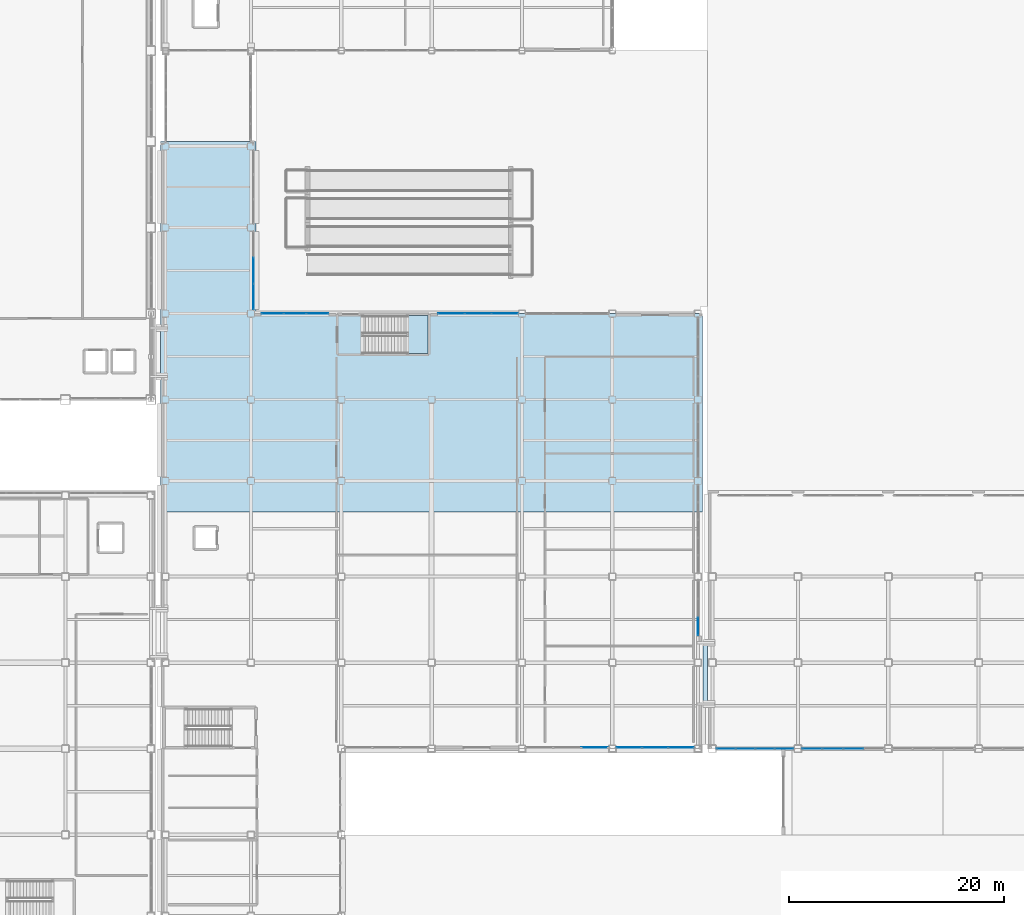
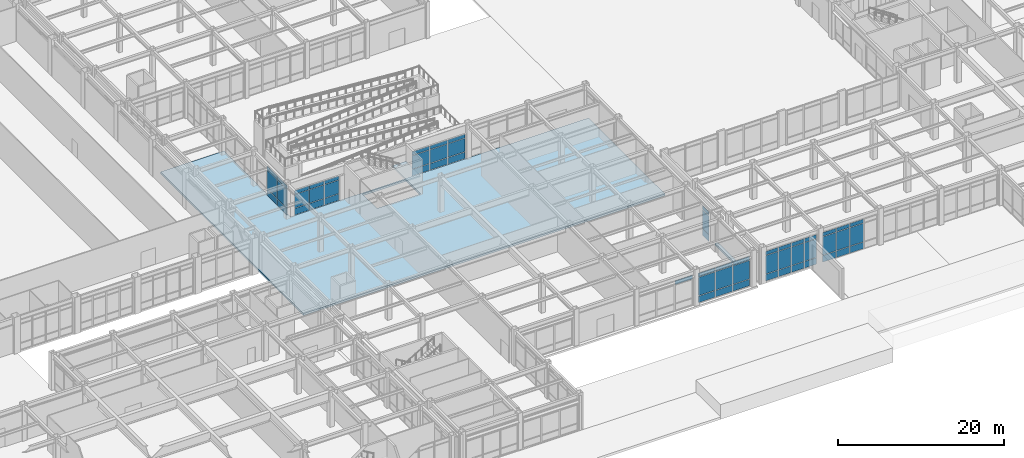
# One storey, part 113 of 165: 58 plates, 3 slabs, 9 elements without a shape of their own.
"""IFC4 building model written with IfcOpenShell, lengths in metres."""

from ifc_helpers import new_model, si_unit, direction, frame, origin, origin_2d, place, context, subcontext, project, spatial, polyline, rectangle, outline, extrude, material, layer, layer_set, type_object, element, aggregate, save


model = new_model("IFC4")

# Units and contexts
model_context = context("Model", 3, precision=1e-05, world=origin(), true_north=direction((0.0, 1.0)))
body_context = subcontext(model_context, "Body", "Model", "MODEL_VIEW")
ifc_project = project(units=[si_unit("LENGTHUNIT", "METRE"), si_unit("AREAUNIT", "SQUARE_METRE"), si_unit("VOLUMEUNIT", "CUBIC_METRE"), si_unit("PLANEANGLEUNIT", "RADIAN"), si_unit("MASSUNIT", "GRAM", prefix="KILO")], contexts=[model_context])

# Site, building, storey
site_placement = place(None, origin())
site = spatial("IfcSite", under=ifc_project, at=site_placement, CompositionType="ELEMENT")
building_placement = place(site_placement, origin())
building = spatial("IfcBuilding", under=site, at=building_placement, Name="Kazehara Bluff Congress Hotel", CompositionType="ELEMENT")
storey_placement = place(building_placement, origin())
storey = spatial("IfcBuildingStorey", under=building, at=storey_placement, Name="L00", CompositionType="ELEMENT", Elevation=0.0)

# Curtain wall, plates
ifc_material_1 = material(Name="Anodised aluminium", Category="aluminium")
ifc_layer_1 = layer(ifc_material_1, 0.159912109375)
ifc_layer_set_1 = layer_set([ifc_layer_1], Name="Anodised aluminium")
curtain_wall_type_1 = type_object("IfcCurtainWallType", Name="TP-CW-67", PredefinedType="NOTDEFINED", material=ifc_layer_set_1)
curtain_wall_1_placement = place(storey_placement, origin())
curtain_wall_1 = element("IfcCurtainWall", 1, at=curtain_wall_1_placement, inside=storey, type_object=curtain_wall_type_1, Name="L00 curtain wall CW-67 CW-V4-L00-Y5645-6860", PredefinedType="NOTDEFINED")
ifc_material_2 = material(Name="Insulated low-E double glazing", Category="glass")
ifc_layer_2 = layer(ifc_material_2, 0.028076171875)
ifc_layer_set_2 = layer_set([ifc_layer_2], Name="Insulated low-E double glazing")
plate_type_1 = type_object("IfcPlateType", Name="TP-CWP-01", PredefinedType="CURTAIN_PANEL", material=ifc_layer_set_2)
plate_1_placement = place(storey_placement, frame((69.6650390625, 56.449951171875, 0.06005859375), z_axis=(0.0, 0.0, 1.0), x_axis=(1.0, 0.0, 0.0)))
plate_1 = element("IfcPlate", 2, at=plate_1_placement, type_object=plate_type_1, Name="CW-67 panel 1.1", PredefinedType="CURTAIN_PANEL", context=body_context, shape_type="SweptSolid", body=[
    extrude(rectangle(XDim=2.010009765625, YDim=0.028076171875, at=origin_2d()), origin(), (0.0, 0.0, 1.0), 0.9599609375),
])
plate_2_placement = place(storey_placement, frame((69.6650390625, 56.449951171875, 1.080078125), z_axis=(0.0, 0.0, 1.0), x_axis=(1.0, 0.0, 0.0)))
plate_2 = element("IfcPlate", 3, at=plate_2_placement, type_object=plate_type_1, Name="CW-67 panel 1.2", PredefinedType="CURTAIN_PANEL", context=body_context, shape_type="SweptSolid", body=[
    extrude(rectangle(XDim=2.010009765625, YDim=0.028076171875, at=origin_2d()), origin(), (0.0, 0.0, 1.0), 1.965087890625),
])
plate_3_placement = place(storey_placement, frame((69.6650390625, 56.449951171875, 3.10498046875), z_axis=(0.0, 0.0, 1.0), x_axis=(1.0, 0.0, 0.0)))
plate_3 = element("IfcPlate", 4, at=plate_3_placement, type_object=plate_type_1, Name="CW-67 panel 1.3", PredefinedType="CURTAIN_PANEL", context=body_context, shape_type="SweptSolid", body=[
    extrude(rectangle(XDim=2.010009765625, YDim=0.028076171875, at=origin_2d()), origin(), (0.0, 0.0, 1.0), 0.56005859375),
])
plate_4_placement = place(storey_placement, frame((71.75, 56.449951171875, 0.06005859375), z_axis=(0.0, 0.0, 1.0), x_axis=(1.0, 0.0, 0.0)))
plate_4 = element("IfcPlate", 5, at=plate_4_placement, type_object=plate_type_1, Name="CW-67 panel 2.1", PredefinedType="CURTAIN_PANEL", context=body_context, shape_type="SweptSolid", body=[
    extrude(rectangle(XDim=2.0400390625, YDim=0.028076171875, at=origin_2d()), origin(), (0.0, 0.0, 1.0), 0.9599609375),
])
plate_5_placement = place(storey_placement, frame((71.75, 56.449951171875, 1.080078125), z_axis=(0.0, 0.0, 1.0), x_axis=(1.0, 0.0, 0.0)))
plate_5 = element("IfcPlate", 6, at=plate_5_placement, type_object=plate_type_1, Name="CW-67 panel 2.2", PredefinedType="CURTAIN_PANEL", context=body_context, shape_type="SweptSolid", body=[
    extrude(rectangle(XDim=2.0400390625, YDim=0.028076171875, at=origin_2d()), origin(), (0.0, 0.0, 1.0), 1.965087890625),
])
plate_6_placement = place(storey_placement, frame((71.75, 56.449951171875, 3.10498046875), z_axis=(0.0, 0.0, 1.0), x_axis=(1.0, 0.0, 0.0)))
plate_6 = element("IfcPlate", 7, at=plate_6_placement, type_object=plate_type_1, Name="CW-67 panel 2.3", PredefinedType="CURTAIN_PANEL", context=body_context, shape_type="SweptSolid", body=[
    extrude(rectangle(XDim=2.0400390625, YDim=0.028076171875, at=origin_2d()), origin(), (0.0, 0.0, 1.0), 0.56005859375),
])
plate_7_placement = place(storey_placement, frame((73.8349609375, 56.449951171875, 0.06005859375), z_axis=(0.0, 0.0, 1.0), x_axis=(1.0, 0.0, 0.0)))
plate_7 = element("IfcPlate", 8, at=plate_7_placement, type_object=plate_type_1, Name="CW-67 panel 3.1", PredefinedType="CURTAIN_PANEL", context=body_context, shape_type="SweptSolid", body=[
    extrude(rectangle(XDim=2.010009765625, YDim=0.028076171875, at=origin_2d()), origin(), (0.0, 0.0, 1.0), 0.9599609375),
])
plate_8_placement = place(storey_placement, frame((73.8349609375, 56.449951171875, 1.080078125), z_axis=(0.0, 0.0, 1.0), x_axis=(1.0, 0.0, 0.0)))
plate_8 = element("IfcPlate", 9, at=plate_8_placement, type_object=plate_type_1, Name="CW-67 panel 3.2", PredefinedType="CURTAIN_PANEL", context=body_context, shape_type="SweptSolid", body=[
    extrude(rectangle(XDim=2.010009765625, YDim=0.028076171875, at=origin_2d()), origin(), (0.0, 0.0, 1.0), 1.965087890625),
])
plate_9_placement = place(storey_placement, frame((73.8349609375, 56.449951171875, 3.10498046875), z_axis=(0.0, 0.0, 1.0), x_axis=(1.0, 0.0, 0.0)))
plate_9 = element("IfcPlate", 10, at=plate_9_placement, type_object=plate_type_1, Name="CW-67 panel 3.3", PredefinedType="CURTAIN_PANEL", context=body_context, shape_type="SweptSolid", body=[
    extrude(rectangle(XDim=2.010009765625, YDim=0.028076171875, at=origin_2d()), origin(), (0.0, 0.0, 1.0), 0.56005859375),
])
aggregate(curtain_wall_1, [plate_1, plate_2, plate_3, plate_4, plate_5, plate_6, plate_7, plate_8, plate_9])

ifc_material_3 = material(Name="Anodised aluminium", Category="aluminium")
ifc_layer_3 = layer(ifc_material_3, 0.159912109375)
ifc_layer_set_3 = layer_set([ifc_layer_3], Name="Anodised aluminium")
curtain_wall_type_2 = type_object("IfcCurtainWallType", Name="TP-CW-68", PredefinedType="NOTDEFINED", material=ifc_layer_set_3)
curtain_wall_2_placement = place(storey_placement, origin())
curtain_wall_2 = element("IfcCurtainWall", 11, at=curtain_wall_2_placement, inside=storey, type_object=curtain_wall_type_2, Name="L00 curtain wall CW-68 CW-V4-L00-Y5645-8500", PredefinedType="NOTDEFINED")
plate_10_placement = place(storey_placement, frame((86.2705078125, 56.449951171875, 0.06494140625), z_axis=(0.0, 0.0, 1.0), x_axis=(1.0, 0.0, 0.0)))
plate_10 = element("IfcPlate", 12, at=plate_10_placement, type_object=plate_type_1, Name="CW-68 panel 1.1", PredefinedType="CURTAIN_PANEL", context=body_context, shape_type="SweptSolid", body=[
    extrude(rectangle(XDim=2.410888671875, YDim=0.028076171875, at=origin_2d()), origin(), (0.0, 0.0, 1.0), 0.952392578125),
])
plate_11_placement = place(storey_placement, frame((86.2705078125, 56.449951171875, 1.08251953125), z_axis=(0.0, 0.0, 1.0), x_axis=(1.0, 0.0, 0.0)))
plate_11 = element("IfcPlate", 13, at=plate_11_placement, type_object=plate_type_1, Name="CW-68 panel 1.2", PredefinedType="CURTAIN_PANEL", context=body_context, shape_type="SweptSolid", body=[
    extrude(rectangle(XDim=2.410888671875, YDim=0.028076171875, at=origin_2d()), origin(), (0.0, 0.0, 1.0), 1.9599609375),
])
plate_12_placement = place(storey_placement, frame((86.2705078125, 56.449951171875, 3.107421875), z_axis=(0.0, 0.0, 1.0), x_axis=(1.0, 0.0, 0.0)))
plate_12 = element("IfcPlate", 14, at=plate_12_placement, type_object=plate_type_1, Name="CW-68 panel 1.3", PredefinedType="CURTAIN_PANEL", context=body_context, shape_type="SweptSolid", body=[
    extrude(rectangle(XDim=2.410888671875, YDim=0.028076171875, at=origin_2d()), origin(), (0.0, 0.0, 1.0), 0.552490234375),
])
plate_13_placement = place(storey_placement, frame((88.762451171875, 56.449951171875, 0.06494140625), z_axis=(0.0, 0.0, 1.0), x_axis=(1.0, 0.0, 0.0)))
plate_13 = element("IfcPlate", 15, at=plate_13_placement, type_object=plate_type_1, Name="CW-68 panel 2.1", PredefinedType="CURTAIN_PANEL", context=body_context, shape_type="SweptSolid", body=[
    extrude(rectangle(XDim=2.443359375, YDim=0.028076171875, at=origin_2d()), origin(), (0.0, 0.0, 1.0), 0.952392578125),
])
plate_14_placement = place(storey_placement, frame((88.762451171875, 56.449951171875, 1.08251953125), z_axis=(0.0, 0.0, 1.0), x_axis=(1.0, 0.0, 0.0)))
plate_14 = element("IfcPlate", 16, at=plate_14_placement, type_object=plate_type_1, Name="CW-68 panel 2.2", PredefinedType="CURTAIN_PANEL", context=body_context, shape_type="SweptSolid", body=[
    extrude(rectangle(XDim=2.443359375, YDim=0.028076171875, at=origin_2d()), origin(), (0.0, 0.0, 1.0), 1.9599609375),
])
plate_15_placement = place(storey_placement, frame((88.762451171875, 56.449951171875, 3.107421875), z_axis=(0.0, 0.0, 1.0), x_axis=(1.0, 0.0, 0.0)))
plate_15 = element("IfcPlate", 17, at=plate_15_placement, type_object=plate_type_1, Name="CW-68 panel 2.3", PredefinedType="CURTAIN_PANEL", context=body_context, shape_type="SweptSolid", body=[
    extrude(rectangle(XDim=2.443359375, YDim=0.028076171875, at=origin_2d()), origin(), (0.0, 0.0, 1.0), 0.552490234375),
])
plate_16_placement = place(storey_placement, frame((91.254638671875, 56.449951171875, 0.06494140625), z_axis=(0.0, 0.0, 1.0), x_axis=(1.0, 0.0, 0.0)))
plate_16 = element("IfcPlate", 18, at=plate_16_placement, type_object=plate_type_1, Name="CW-68 panel 3.1", PredefinedType="CURTAIN_PANEL", context=body_context, shape_type="SweptSolid", body=[
    extrude(rectangle(XDim=2.410888671875, YDim=0.028076171875, at=origin_2d()), origin(), (0.0, 0.0, 1.0), 0.952392578125),
])
plate_17_placement = place(storey_placement, frame((91.254638671875, 56.449951171875, 1.08251953125), z_axis=(0.0, 0.0, 1.0), x_axis=(1.0, 0.0, 0.0)))
plate_17 = element("IfcPlate", 19, at=plate_17_placement, type_object=plate_type_1, Name="CW-68 panel 3.2", PredefinedType="CURTAIN_PANEL", context=body_context, shape_type="SweptSolid", body=[
    extrude(rectangle(XDim=2.410888671875, YDim=0.028076171875, at=origin_2d()), origin(), (0.0, 0.0, 1.0), 1.9599609375),
])
plate_18_placement = place(storey_placement, frame((91.254638671875, 56.449951171875, 3.107421875), z_axis=(0.0, 0.0, 1.0), x_axis=(1.0, 0.0, 0.0)))
plate_18 = element("IfcPlate", 20, at=plate_18_placement, type_object=plate_type_1, Name="CW-68 panel 3.3", PredefinedType="CURTAIN_PANEL", context=body_context, shape_type="SweptSolid", body=[
    extrude(rectangle(XDim=2.410888671875, YDim=0.028076171875, at=origin_2d()), origin(), (0.0, 0.0, 1.0), 0.552490234375),
])
aggregate(curtain_wall_2, [plate_10, plate_11, plate_12, plate_13, plate_14, plate_15, plate_16, plate_17, plate_18])

ifc_material_4 = material(Name="Anodised aluminium", Category="aluminium")
ifc_layer_4 = layer(ifc_material_4, 0.159912109375)
ifc_layer_set_4 = layer_set([ifc_layer_4], Name="Anodised aluminium")
curtain_wall_type_3 = type_object("IfcCurtainWallType", Name="TP-CW-49", PredefinedType="NOTDEFINED", material=ifc_layer_set_4)
curtain_wall_3_placement = place(storey_placement, origin())
curtain_wall_3 = element("IfcCurtainWall", 21, at=curtain_wall_3_placement, inside=storey, type_object=curtain_wall_type_3, Name="L00 curtain wall CW-49 CW-V4-L00-X10920-2650", PredefinedType="NOTDEFINED")
ifc_material_5 = material(Name="Insulated low-E double glazing", Category="glass")
ifc_layer_5 = layer(ifc_material_5, 0.031982421875)
ifc_layer_set_5 = layer_set([ifc_layer_5], Name="Insulated low-E double glazing")
plate_type_2 = type_object("IfcPlateType", Name="TP-CWP-02", PredefinedType="CURTAIN_PANEL", material=ifc_layer_set_5)
plate_19_placement = place(storey_placement, frame((109.199951171875, 27.3798828125, 0.06005859375), z_axis=(0.0, 0.0, 1.0), x_axis=(0.0, 1.0, 0.0)))
plate_19 = element("IfcPlate", 22, at=plate_19_placement, type_object=plate_type_2, Name="CW-49 panel 1.1", PredefinedType="CURTAIN_PANEL", context=body_context, shape_type="SweptSolid", body=[
    extrude(rectangle(XDim=1.6201171875, YDim=0.031982421875, at=origin_2d()), origin(), (0.0, 0.0, 1.0), 0.9599609375),
])
plate_20_placement = place(storey_placement, frame((109.199951171875, 27.3798828125, 1.080078125), z_axis=(0.0, 0.0, 1.0), x_axis=(0.0, 1.0, 0.0)))
plate_20 = element("IfcPlate", 23, at=plate_20_placement, type_object=plate_type_2, Name="CW-49 panel 1.2", PredefinedType="CURTAIN_PANEL", context=body_context, shape_type="SweptSolid", body=[
    extrude(rectangle(XDim=1.6201171875, YDim=0.031982421875, at=origin_2d()), origin(), (0.0, 0.0, 1.0), 2.715087890625),
])
plate_21_placement = place(storey_placement, frame((109.199951171875, 27.3798828125, 3.85498046875), z_axis=(0.0, 0.0, 1.0), x_axis=(0.0, 1.0, 0.0)))
plate_21 = element("IfcPlate", 24, at=plate_21_placement, type_object=plate_type_2, Name="CW-49 panel 1.3", PredefinedType="CURTAIN_PANEL", context=body_context, shape_type="SweptSolid", body=[
    extrude(rectangle(XDim=1.6201171875, YDim=0.031982421875, at=origin_2d()), origin(), (0.0, 0.0, 1.0), 0.56005859375),
])
aggregate(curtain_wall_3, [plate_19, plate_20, plate_21])

ifc_material_6 = material(Name="Anodised aluminium", Category="aluminium")
ifc_layer_6 = layer(ifc_material_6, 0.159912109375)
ifc_layer_set_6 = layer_set([ifc_layer_6], Name="Anodised aluminium")
curtain_wall_type_4 = type_object("IfcCurtainWallType", Name="TP-CW-77", PredefinedType="NOTDEFINED", material=ifc_layer_set_6)
curtain_wall_4_placement = place(storey_placement, origin())
curtain_wall_4 = element("IfcCurtainWall", 25, at=curtain_wall_4_placement, inside=storey, type_object=curtain_wall_type_4, Name="L00 curtain wall CW-77 CW-V5-L00-Y1600-11090", PredefinedType="NOTDEFINED")
plate_22_placement = place(storey_placement, frame((111.82373046875, 16.0, 0.06494140625), z_axis=(0.0, 0.0, 1.0), x_axis=(1.0, 0.0, 0.0)))
plate_22 = element("IfcPlate", 26, at=plate_22_placement, type_object=plate_type_2, Name="CW-77 panel 1.1", PredefinedType="CURTAIN_PANEL", context=body_context, shape_type="SweptSolid", body=[
    extrude(rectangle(XDim=1.70751953125, YDim=0.031982421875, at=origin_2d()), origin(), (0.0, 0.0, 1.0), 0.952392578125),
])
plate_23_placement = place(storey_placement, frame((111.82373046875, 16.0, 1.08251953125), z_axis=(0.0, 0.0, 1.0), x_axis=(1.0, 0.0, 0.0)))
plate_23 = element("IfcPlate", 27, at=plate_23_placement, type_object=plate_type_2, Name="CW-77 panel 1.2", PredefinedType="CURTAIN_PANEL", context=body_context, shape_type="SweptSolid", body=[
    extrude(rectangle(XDim=1.70751953125, YDim=0.031982421875, at=origin_2d()), origin(), (0.0, 0.0, 1.0), 2.7099609375),
])
plate_24_placement = place(storey_placement, frame((111.82373046875, 16.0, 3.857421875), z_axis=(0.0, 0.0, 1.0), x_axis=(1.0, 0.0, 0.0)))
plate_24 = element("IfcPlate", 28, at=plate_24_placement, type_object=plate_type_2, Name="CW-77 panel 1.3", PredefinedType="CURTAIN_PANEL", context=body_context, shape_type="SweptSolid", body=[
    extrude(rectangle(XDim=1.70751953125, YDim=0.031982421875, at=origin_2d()), origin(), (0.0, 0.0, 1.0), 0.552490234375),
])
plate_25_placement = place(storey_placement, frame((113.61865234375, 16.0, 0.06494140625), z_axis=(0.0, 0.0, 1.0), x_axis=(1.0, 0.0, 0.0)))
plate_25 = element("IfcPlate", 29, at=plate_25_placement, type_object=plate_type_2, Name="CW-77 panel 2.1", PredefinedType="CURTAIN_PANEL", context=body_context, shape_type="SweptSolid", body=[
    extrude(rectangle(XDim=1.742431640625, YDim=0.031982421875, at=origin_2d()), origin(), (0.0, 0.0, 1.0), 0.952392578125),
])
plate_26_placement = place(storey_placement, frame((113.61865234375, 16.0, 1.08251953125), z_axis=(0.0, 0.0, 1.0), x_axis=(1.0, 0.0, 0.0)))
plate_26 = element("IfcPlate", 30, at=plate_26_placement, type_object=plate_type_2, Name="CW-77 panel 2.2", PredefinedType="CURTAIN_PANEL", context=body_context, shape_type="SweptSolid", body=[
    extrude(rectangle(XDim=1.742431640625, YDim=0.031982421875, at=origin_2d()), origin(), (0.0, 0.0, 1.0), 2.7099609375),
])
plate_27_placement = place(storey_placement, frame((113.61865234375, 16.0, 3.857421875), z_axis=(0.0, 0.0, 1.0), x_axis=(1.0, 0.0, 0.0)))
plate_27 = element("IfcPlate", 31, at=plate_27_placement, type_object=plate_type_2, Name="CW-77 panel 2.3", PredefinedType="CURTAIN_PANEL", context=body_context, shape_type="SweptSolid", body=[
    extrude(rectangle(XDim=1.742431640625, YDim=0.031982421875, at=origin_2d()), origin(), (0.0, 0.0, 1.0), 0.552490234375),
])
plate_28_placement = place(storey_placement, frame((115.43115234375, 16.0, 0.06494140625), z_axis=(0.0, 0.0, 1.0), x_axis=(1.0, 0.0, 0.0)))
plate_28 = element("IfcPlate", 32, at=plate_28_placement, type_object=plate_type_2, Name="CW-77 panel 3.1", PredefinedType="CURTAIN_PANEL", context=body_context, shape_type="SweptSolid", body=[
    extrude(rectangle(XDim=1.742431640625, YDim=0.031982421875, at=origin_2d()), origin(), (0.0, 0.0, 1.0), 0.952392578125),
])
plate_29_placement = place(storey_placement, frame((115.43115234375, 16.0, 1.08251953125), z_axis=(0.0, 0.0, 1.0), x_axis=(1.0, 0.0, 0.0)))
plate_29 = element("IfcPlate", 33, at=plate_29_placement, type_object=plate_type_2, Name="CW-77 panel 3.2", PredefinedType="CURTAIN_PANEL", context=body_context, shape_type="SweptSolid", body=[
    extrude(rectangle(XDim=1.742431640625, YDim=0.031982421875, at=origin_2d()), origin(), (0.0, 0.0, 1.0), 2.7099609375),
])
plate_30_placement = place(storey_placement, frame((115.43115234375, 16.0, 3.857421875), z_axis=(0.0, 0.0, 1.0), x_axis=(1.0, 0.0, 0.0)))
plate_30 = element("IfcPlate", 34, at=plate_30_placement, type_object=plate_type_2, Name="CW-77 panel 3.3", PredefinedType="CURTAIN_PANEL", context=body_context, shape_type="SweptSolid", body=[
    extrude(rectangle(XDim=1.742431640625, YDim=0.031982421875, at=origin_2d()), origin(), (0.0, 0.0, 1.0), 0.552490234375),
])
plate_31_placement = place(storey_placement, frame((117.226318359375, 16.0, 0.06494140625), z_axis=(0.0, 0.0, 1.0), x_axis=(1.0, 0.0, 0.0)))
plate_31 = element("IfcPlate", 35, at=plate_31_placement, type_object=plate_type_2, Name="CW-77 panel 4.1", PredefinedType="CURTAIN_PANEL", context=body_context, shape_type="SweptSolid", body=[
    extrude(rectangle(XDim=1.70751953125, YDim=0.031982421875, at=origin_2d()), origin(), (0.0, 0.0, 1.0), 0.952392578125),
])
plate_32_placement = place(storey_placement, frame((117.226318359375, 16.0, 1.08251953125), z_axis=(0.0, 0.0, 1.0), x_axis=(1.0, 0.0, 0.0)))
plate_32 = element("IfcPlate", 36, at=plate_32_placement, type_object=plate_type_2, Name="CW-77 panel 4.2", PredefinedType="CURTAIN_PANEL", context=body_context, shape_type="SweptSolid", body=[
    extrude(rectangle(XDim=1.70751953125, YDim=0.031982421875, at=origin_2d()), origin(), (0.0, 0.0, 1.0), 2.7099609375),
])
plate_33_placement = place(storey_placement, frame((117.226318359375, 16.0, 3.857421875), z_axis=(0.0, 0.0, 1.0), x_axis=(1.0, 0.0, 0.0)))
plate_33 = element("IfcPlate", 37, at=plate_33_placement, type_object=plate_type_2, Name="CW-77 panel 4.3", PredefinedType="CURTAIN_PANEL", context=body_context, shape_type="SweptSolid", body=[
    extrude(rectangle(XDim=1.70751953125, YDim=0.031982421875, at=origin_2d()), origin(), (0.0, 0.0, 1.0), 0.552490234375),
])
aggregate(curtain_wall_4, [plate_22, plate_23, plate_24, plate_25, plate_26, plate_27, plate_28, plate_29, plate_30, plate_31, plate_32, plate_33])

ifc_material_7 = material(Name="Anodised aluminium", Category="aluminium")
ifc_layer_7 = layer(ifc_material_7, 0.159912109375)
ifc_layer_set_7 = layer_set([ifc_layer_7], Name="Anodised aluminium")
curtain_wall_type_5 = type_object("IfcCurtainWallType", Name="TP-CW-26", PredefinedType="NOTDEFINED", material=ifc_layer_set_7)
curtain_wall_5_placement = place(storey_placement, origin())
curtain_wall_5 = element("IfcCurtainWall", 38, at=curtain_wall_5_placement, inside=storey, type_object=curtain_wall_type_5, Name="L00 curtain wall CW-26 CW-V5-L00-Y1600-11885", PredefinedType="NOTDEFINED")
plate_34_placement = place(storey_placement, frame((119.830078125, 16.0, 0.06494140625), z_axis=(0.0, 0.0, 1.0), x_axis=(1.0, 0.0, 0.0)))
plate_34 = element("IfcPlate", 39, at=plate_34_placement, type_object=plate_type_2, Name="CW-26 panel 1.1", PredefinedType="CURTAIN_PANEL", context=body_context, shape_type="SweptSolid", body=[
    extrude(rectangle(XDim=1.820068359375, YDim=0.031982421875, at=origin_2d()), origin(), (0.0, 0.0, 1.0), 0.952392578125),
])
plate_35_placement = place(storey_placement, frame((119.830078125, 16.0, 1.08251953125), z_axis=(0.0, 0.0, 1.0), x_axis=(1.0, 0.0, 0.0)))
plate_35 = element("IfcPlate", 40, at=plate_35_placement, type_object=plate_type_2, Name="CW-26 panel 1.2", PredefinedType="CURTAIN_PANEL", context=body_context, shape_type="SweptSolid", body=[
    extrude(rectangle(XDim=1.820068359375, YDim=0.031982421875, at=origin_2d()), origin(), (0.0, 0.0, 1.0), 2.7099609375),
])
plate_36_placement = place(storey_placement, frame((119.830078125, 16.0, 3.857421875), z_axis=(0.0, 0.0, 1.0), x_axis=(1.0, 0.0, 0.0)))
plate_36 = element("IfcPlate", 41, at=plate_36_placement, type_object=plate_type_2, Name="CW-26 panel 1.3", PredefinedType="CURTAIN_PANEL", context=body_context, shape_type="SweptSolid", body=[
    extrude(rectangle(XDim=1.820068359375, YDim=0.031982421875, at=origin_2d()), origin(), (0.0, 0.0, 1.0), 0.552490234375),
])
plate_37_placement = place(storey_placement, frame((121.737548828125, 16.0, 0.06494140625), z_axis=(0.0, 0.0, 1.0), x_axis=(1.0, 0.0, 0.0)))
plate_37 = element("IfcPlate", 42, at=plate_37_placement, type_object=plate_type_2, Name="CW-26 panel 2.1", PredefinedType="CURTAIN_PANEL", context=body_context, shape_type="SweptSolid", body=[
    extrude(rectangle(XDim=1.85498046875, YDim=0.031982421875, at=origin_2d()), origin(), (0.0, 0.0, 1.0), 0.952392578125),
])
plate_38_placement = place(storey_placement, frame((121.737548828125, 16.0, 1.08251953125), z_axis=(0.0, 0.0, 1.0), x_axis=(1.0, 0.0, 0.0)))
plate_38 = element("IfcPlate", 43, at=plate_38_placement, type_object=plate_type_2, Name="CW-26 panel 2.2", PredefinedType="CURTAIN_PANEL", context=body_context, shape_type="SweptSolid", body=[
    extrude(rectangle(XDim=1.85498046875, YDim=0.031982421875, at=origin_2d()), origin(), (0.0, 0.0, 1.0), 2.7099609375),
])
plate_39_placement = place(storey_placement, frame((121.737548828125, 16.0, 3.857421875), z_axis=(0.0, 0.0, 1.0), x_axis=(1.0, 0.0, 0.0)))
plate_39 = element("IfcPlate", 44, at=plate_39_placement, type_object=plate_type_2, Name="CW-26 panel 2.3", PredefinedType="CURTAIN_PANEL", context=body_context, shape_type="SweptSolid", body=[
    extrude(rectangle(XDim=1.85498046875, YDim=0.031982421875, at=origin_2d()), origin(), (0.0, 0.0, 1.0), 0.552490234375),
])
plate_40_placement = place(storey_placement, frame((123.66259765625, 16.0, 0.06494140625), z_axis=(0.0, 0.0, 1.0), x_axis=(1.0, 0.0, 0.0)))
plate_40 = element("IfcPlate", 45, at=plate_40_placement, type_object=plate_type_2, Name="CW-26 panel 3.1", PredefinedType="CURTAIN_PANEL", context=body_context, shape_type="SweptSolid", body=[
    extrude(rectangle(XDim=1.85498046875, YDim=0.031982421875, at=origin_2d()), origin(), (0.0, 0.0, 1.0), 0.952392578125),
])
plate_41_placement = place(storey_placement, frame((123.66259765625, 16.0, 1.08251953125), z_axis=(0.0, 0.0, 1.0), x_axis=(1.0, 0.0, 0.0)))
plate_41 = element("IfcPlate", 46, at=plate_41_placement, type_object=plate_type_2, Name="CW-26 panel 3.2", PredefinedType="CURTAIN_PANEL", context=body_context, shape_type="SweptSolid", body=[
    extrude(rectangle(XDim=1.85498046875, YDim=0.031982421875, at=origin_2d()), origin(), (0.0, 0.0, 1.0), 2.7099609375),
])
plate_42_placement = place(storey_placement, frame((123.66259765625, 16.0, 3.857421875), z_axis=(0.0, 0.0, 1.0), x_axis=(1.0, 0.0, 0.0)))
plate_42 = element("IfcPlate", 47, at=plate_42_placement, type_object=plate_type_2, Name="CW-26 panel 3.3", PredefinedType="CURTAIN_PANEL", context=body_context, shape_type="SweptSolid", body=[
    extrude(rectangle(XDim=1.85498046875, YDim=0.031982421875, at=origin_2d()), origin(), (0.0, 0.0, 1.0), 0.552490234375),
])
aggregate(curtain_wall_5, [plate_34, plate_35, plate_36, plate_37, plate_38, plate_39, plate_40, plate_41, plate_42])

# Curtain wall, plate
ifc_material_8 = material(Name="Anodised aluminium", Category="aluminium")
ifc_layer_8 = layer(ifc_material_8, 0.159912109375)
ifc_layer_set_8 = layer_set([ifc_layer_8], Name="Anodised aluminium")
curtain_wall_type_6 = type_object("IfcCurtainWallType", Name="TP-CW-69", PredefinedType="NOTDEFINED", material=ifc_layer_set_8)
curtain_wall_6_placement = place(storey_placement, origin())
curtain_wall_6 = element("IfcCurtainWall", 48, at=curtain_wall_6_placement, inside=storey, type_object=curtain_wall_type_6, Name="L00 curtain wall CW-69 CW-ENC-V4-L00-9705-1610", PredefinedType="NOTDEFINED")
plate_43_placement = place(storey_placement, frame((99.61572265625, 16.10009765625, 3.857421875), z_axis=(0.0, 0.0, 1.0), x_axis=(-1.0, 0.0, 0.0)))
plate_43 = element("IfcPlate", 49, at=plate_43_placement, type_object=plate_type_2, Name="CW-69 panel 1.3", PredefinedType="CURTAIN_PANEL", context=body_context, shape_type="SweptSolid", body=[
    extrude(rectangle(XDim=2.478271484375, YDim=0.031982421875, at=origin_2d()), origin(), (0.0, 0.0, 1.0), 0.552490234375),
])
aggregate(curtain_wall_6, [plate_43])

# Curtain wall, plates
ifc_material_9 = material(Name="Anodised aluminium", Category="aluminium")
ifc_layer_9 = layer(ifc_material_9, 0.159912109375)
ifc_layer_set_9 = layer_set([ifc_layer_9], Name="Anodised aluminium")
curtain_wall_type_7 = type_object("IfcCurtainWallType", Name="TP-CW-32", PredefinedType="NOTDEFINED", material=ifc_layer_set_9)
curtain_wall_7_placement = place(storey_placement, origin())
curtain_wall_7 = element("IfcCurtainWall", 50, at=curtain_wall_7_placement, inside=storey, type_object=curtain_wall_type_7, Name="L00 curtain wall CW-32 CW-ENC-V4-L00-10522-1610", PredefinedType="NOTDEFINED")
plate_44_placement = place(storey_placement, frame((107.640869140625, 16.10009765625, 0.06494140625), z_axis=(0.0, 0.0, 1.0), x_axis=(-1.0, 0.0, 0.0)))
plate_44 = element("IfcPlate", 51, at=plate_44_placement, type_object=plate_type_2, Name="CW-32 panel 1.1", PredefinedType="CURTAIN_PANEL", context=body_context, shape_type="SweptSolid", body=[
    extrude(rectangle(XDim=2.328369140625, YDim=0.031982421875, at=origin_2d()), origin(), (0.0, 0.0, 1.0), 0.952392578125),
])
plate_45_placement = place(storey_placement, frame((107.640869140625, 16.10009765625, 1.08251953125), z_axis=(0.0, 0.0, 1.0), x_axis=(-1.0, 0.0, 0.0)))
plate_45 = element("IfcPlate", 52, at=plate_45_placement, type_object=plate_type_2, Name="CW-32 panel 1.2", PredefinedType="CURTAIN_PANEL", context=body_context, shape_type="SweptSolid", body=[
    extrude(rectangle(XDim=2.328369140625, YDim=0.031982421875, at=origin_2d()), origin(), (0.0, 0.0, 1.0), 2.7099609375),
])
plate_46_placement = place(storey_placement, frame((107.640869140625, 16.10009765625, 3.857421875), z_axis=(0.0, 0.0, 1.0), x_axis=(-1.0, 0.0, 0.0)))
plate_46 = element("IfcPlate", 53, at=plate_46_placement, type_object=plate_type_2, Name="CW-32 panel 1.3", PredefinedType="CURTAIN_PANEL", context=body_context, shape_type="SweptSolid", body=[
    extrude(rectangle(XDim=2.328369140625, YDim=0.031982421875, at=origin_2d()), origin(), (0.0, 0.0, 1.0), 0.552490234375),
])
plate_47_placement = place(storey_placement, frame((105.22509765625, 16.10009765625, 0.06494140625), z_axis=(0.0, 0.0, 1.0), x_axis=(-1.0, 0.0, 0.0)))
plate_47 = element("IfcPlate", 54, at=plate_47_placement, type_object=plate_type_2, Name="CW-32 panel 2.1", PredefinedType="CURTAIN_PANEL", context=body_context, shape_type="SweptSolid", body=[
    extrude(rectangle(XDim=2.36328125, YDim=0.031982421875, at=origin_2d()), origin(), (0.0, 0.0, 1.0), 0.952392578125),
])
plate_48_placement = place(storey_placement, frame((105.22509765625, 16.10009765625, 1.08251953125), z_axis=(0.0, 0.0, 1.0), x_axis=(-1.0, 0.0, 0.0)))
plate_48 = element("IfcPlate", 55, at=plate_48_placement, type_object=plate_type_2, Name="CW-32 panel 2.2", PredefinedType="CURTAIN_PANEL", context=body_context, shape_type="SweptSolid", body=[
    extrude(rectangle(XDim=2.36328125, YDim=0.031982421875, at=origin_2d()), origin(), (0.0, 0.0, 1.0), 2.7099609375),
])
plate_49_placement = place(storey_placement, frame((105.22509765625, 16.10009765625, 3.857421875), z_axis=(0.0, 0.0, 1.0), x_axis=(-1.0, 0.0, 0.0)))
plate_49 = element("IfcPlate", 56, at=plate_49_placement, type_object=plate_type_2, Name="CW-32 panel 2.3", PredefinedType="CURTAIN_PANEL", context=body_context, shape_type="SweptSolid", body=[
    extrude(rectangle(XDim=2.36328125, YDim=0.031982421875, at=origin_2d()), origin(), (0.0, 0.0, 1.0), 0.552490234375),
])
plate_50_placement = place(storey_placement, frame((102.80908203125, 16.10009765625, 0.06494140625), z_axis=(0.0, 0.0, 1.0), x_axis=(-1.0, 0.0, 0.0)))
plate_50 = element("IfcPlate", 57, at=plate_50_placement, type_object=plate_type_2, Name="CW-32 panel 3.1", PredefinedType="CURTAIN_PANEL", context=body_context, shape_type="SweptSolid", body=[
    extrude(rectangle(XDim=2.328369140625, YDim=0.031982421875, at=origin_2d()), origin(), (0.0, 0.0, 1.0), 0.952392578125),
])
plate_51_placement = place(storey_placement, frame((102.80908203125, 16.10009765625, 1.08251953125), z_axis=(0.0, 0.0, 1.0), x_axis=(-1.0, 0.0, 0.0)))
plate_51 = element("IfcPlate", 58, at=plate_51_placement, type_object=plate_type_2, Name="CW-32 panel 3.2", PredefinedType="CURTAIN_PANEL", context=body_context, shape_type="SweptSolid", body=[
    extrude(rectangle(XDim=2.328369140625, YDim=0.031982421875, at=origin_2d()), origin(), (0.0, 0.0, 1.0), 2.7099609375),
])
plate_52_placement = place(storey_placement, frame((102.80908203125, 16.10009765625, 3.857421875), z_axis=(0.0, 0.0, 1.0), x_axis=(-1.0, 0.0, 0.0)))
plate_52 = element("IfcPlate", 59, at=plate_52_placement, type_object=plate_type_2, Name="CW-32 panel 3.3", PredefinedType="CURTAIN_PANEL", context=body_context, shape_type="SweptSolid", body=[
    extrude(rectangle(XDim=2.328369140625, YDim=0.031982421875, at=origin_2d()), origin(), (0.0, 0.0, 1.0), 0.552490234375),
])
aggregate(curtain_wall_7, [plate_44, plate_45, plate_46, plate_47, plate_48, plate_49, plate_50, plate_51, plate_52])

ifc_material_10 = material(Name="Anodised aluminium", Category="aluminium")
ifc_layer_10 = layer(ifc_material_10, 0.159912109375)
ifc_layer_set_10 = layer_set([ifc_layer_10], Name="Anodised aluminium")
curtain_wall_type_8 = type_object("IfcCurtainWallType", Name="TP-CW-52", PredefinedType="NOTDEFINED", material=ifc_layer_set_10)
curtain_wall_8_placement = place(storey_placement, origin())
curtain_wall_8 = element("IfcCurtainWall", 60, at=curtain_wall_8_placement, inside=storey, type_object=curtain_wall_type_8, Name="L00 curtain wall CW-52 CW-ENC-V4-L00-6788-6045", PredefinedType="NOTDEFINED")
plate_53_placement = place(storey_placement, frame((67.8798828125, 60.449951171875, 0.06494140625), z_axis=(0.0, 0.0, 1.0), x_axis=(0.0, -1.0, 0.0)))
plate_53 = element("IfcPlate", 61, at=plate_53_placement, type_object=plate_type_2, Name="CW-52 panel 2.1", PredefinedType="CURTAIN_PANEL", context=body_context, shape_type="SweptSolid", body=[
    extrude(rectangle(XDim=2.3798828125, YDim=0.031982421875, at=origin_2d()), origin(), (0.0, 0.0, 1.0), 0.952392578125),
])
plate_54_placement = place(storey_placement, frame((67.8798828125, 60.449951171875, 1.08251953125), z_axis=(0.0, 0.0, 1.0), x_axis=(0.0, -1.0, 0.0)))
plate_54 = element("IfcPlate", 62, at=plate_54_placement, type_object=plate_type_2, Name="CW-52 panel 2.2", PredefinedType="CURTAIN_PANEL", context=body_context, shape_type="SweptSolid", body=[
    extrude(rectangle(XDim=2.3798828125, YDim=0.031982421875, at=origin_2d()), origin(), (0.0, 0.0, 1.0), 2.7099609375),
])
plate_55_placement = place(storey_placement, frame((67.8798828125, 60.449951171875, 3.857421875), z_axis=(0.0, 0.0, 1.0), x_axis=(0.0, -1.0, 0.0)))
plate_55 = element("IfcPlate", 63, at=plate_55_placement, type_object=plate_type_2, Name="CW-52 panel 2.3", PredefinedType="CURTAIN_PANEL", context=body_context, shape_type="SweptSolid", body=[
    extrude(rectangle(XDim=2.3798828125, YDim=0.031982421875, at=origin_2d()), origin(), (0.0, 0.0, 1.0), 0.552490234375),
])
plate_56_placement = place(storey_placement, frame((67.8798828125, 58.017578125, 0.06494140625), z_axis=(0.0, 0.0, 1.0), x_axis=(0.0, -1.0, 0.0)))
plate_56 = element("IfcPlate", 64, at=plate_56_placement, type_object=plate_type_2, Name="CW-52 panel 3.1", PredefinedType="CURTAIN_PANEL", context=body_context, shape_type="SweptSolid", body=[
    extrude(rectangle(XDim=2.344970703125, YDim=0.031982421875, at=origin_2d()), origin(), (0.0, 0.0, 1.0), 0.952392578125),
])
plate_57_placement = place(storey_placement, frame((67.8798828125, 58.017578125, 1.08251953125), z_axis=(0.0, 0.0, 1.0), x_axis=(0.0, -1.0, 0.0)))
plate_57 = element("IfcPlate", 65, at=plate_57_placement, type_object=plate_type_2, Name="CW-52 panel 3.2", PredefinedType="CURTAIN_PANEL", context=body_context, shape_type="SweptSolid", body=[
    extrude(rectangle(XDim=2.344970703125, YDim=0.031982421875, at=origin_2d()), origin(), (0.0, 0.0, 1.0), 2.7099609375),
])
plate_58_placement = place(storey_placement, frame((67.8798828125, 58.017578125, 3.857421875), z_axis=(0.0, 0.0, 1.0), x_axis=(0.0, -1.0, 0.0)))
plate_58 = element("IfcPlate", 66, at=plate_58_placement, type_object=plate_type_2, Name="CW-52 panel 3.3", PredefinedType="CURTAIN_PANEL", context=body_context, shape_type="SweptSolid", body=[
    extrude(rectangle(XDim=2.344970703125, YDim=0.031982421875, at=origin_2d()), origin(), (0.0, 0.0, 1.0), 0.552490234375),
])
aggregate(curtain_wall_8, [plate_53, plate_54, plate_55, plate_56, plate_57, plate_58])

# Slabs
ifc_material_11 = material(Name="Concrete C36/45", Category="concrete")
ifc_layer_11 = layer(ifc_material_11, 0.280029296875)
ifc_layer_set_11 = layer_set([ifc_layer_11], Name="Concrete C36/45")
slab_type_1 = type_object("IfcSlabType", Name="TP-SL-280", PredefinedType="FLOOR", material=ifc_layer_set_11)
slab_1_placement = place(storey_placement, frame((0.0, 0.0, -0.280029296875)))
element("IfcSlab", 67, at=slab_1_placement, inside=storey, type_object=slab_type_1, Name="L00 V4 composite floor slab N", PredefinedType="FLOOR", context=body_context, shape_type="SweptSolid", body=[
    extrude(outline(polyline([(59.25, 72.449951171875), (68.10009765625, 72.449951171875), (68.10009765625, 56.449951171875), (109.64990234375, 56.449951171875), (109.64990234375, 38.0), (59.25, 38.0), (59.25, 72.449951171875)]), holes=[polyline([(78.02490234375, 52.75), (84.10009765625, 52.75), (84.10009765625, 56.25), (78.02490234375, 56.25), (78.02490234375, 52.75)])]), origin(), (0.0, 0.0, 1.0), 0.280029296875),
])
slab_2_placement = place(storey_placement, frame((0.0, 0.0, -0.280029296875)))
element("IfcSlab", 68, at=slab_2_placement, inside=storey, type_object=slab_type_1, Name="Seismic-joint bridge deck BRG-45 L00", PredefinedType="FLOOR", context=body_context, shape_type="SweptSolid", body=[
    extrude(outline(polyline([(109.659912109375, 20.0), (110.090087890625, 20.0), (110.090087890625, 25.60009765625), (109.989990234375, 26.0), (109.659912109375, 26.0), (109.659912109375, 20.0)])), origin(), (0.0, 0.0, 1.0), 0.280029296875),
])

# Stair, slab
ifc_material_12 = material(Name="Concrete C36/45", Category="concrete")
stair_type = type_object("IfcStairType", Name="TP-ST-T01", PredefinedType="HALF_TURN_STAIR", material=ifc_material_12)
stair_placement = place(storey_placement, origin())
stair = element("IfcStair", 69, at=stair_placement, inside=storey, type_object=stair_type, Name="L00 Escape stair ST-09", PredefinedType="HALF_TURN_STAIR")
ifc_material_13 = material(Name="Concrete C36/45", Category="concrete")
ifc_layer_12 = layer(ifc_material_13, 0.199951171875)
ifc_layer_set_12 = layer_set([ifc_layer_12], Name="Concrete C36/45")
slab_type_2 = type_object("IfcSlabType", Name="TP-SLD-200", PredefinedType="LANDING", material=ifc_layer_set_12)
slab_3_placement = place(storey_placement, frame((0.0, 0.0, 2.5)))
slab_3 = element("IfcSlab", 70, at=slab_3_placement, type_object=slab_type_2, Name="ST-09 landing 1", PredefinedType="LANDING", context=body_context, shape_type="SweptSolid", body=[
    extrude(outline(polyline([(82.199951171875, 52.75), (84.10009765625, 52.75), (84.10009765625, 56.25), (82.199951171875, 56.25), (82.199951171875, 52.75)])), origin(), (0.0, 0.0, 1.0), 0.199951171875),
])
aggregate(stair, [slab_3])

save(model, "model.ifc")
